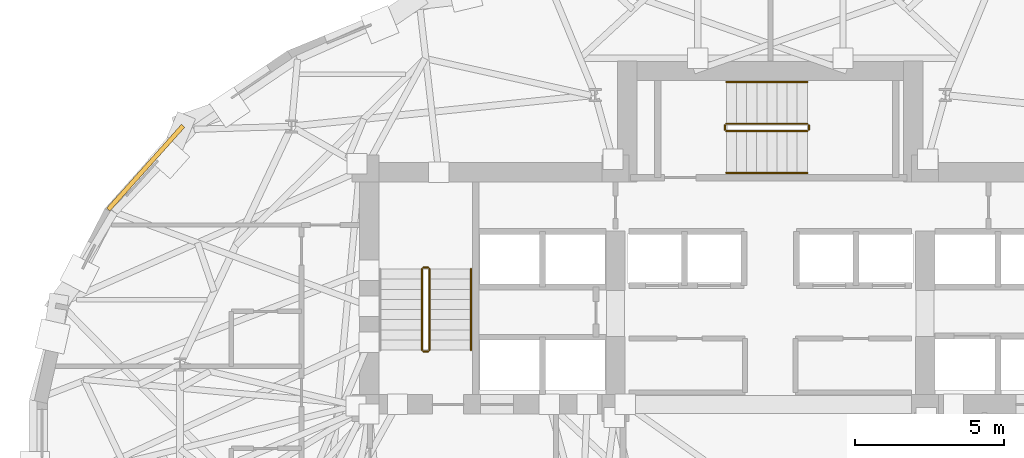
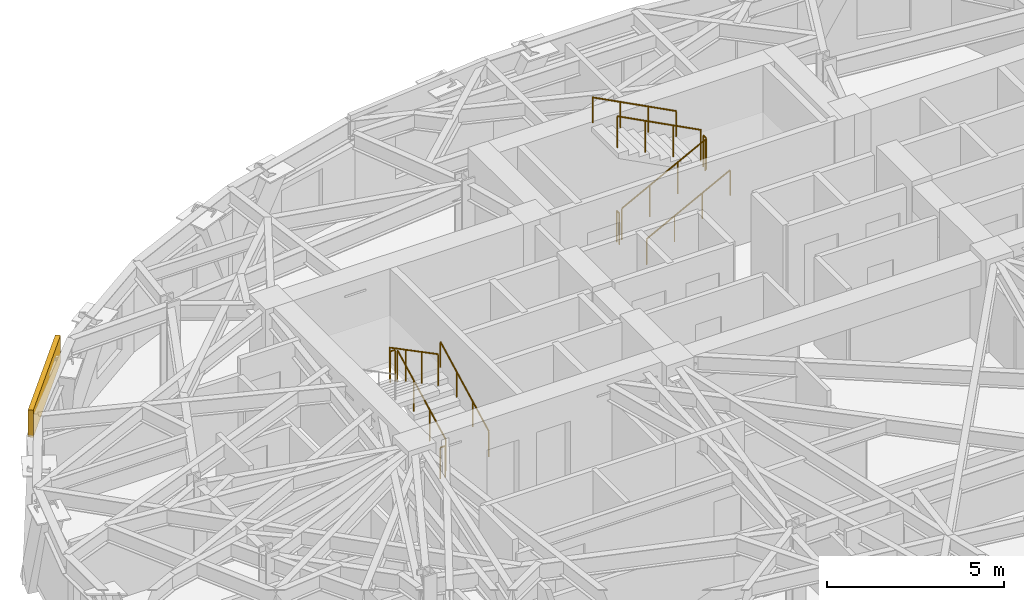
# One storey, part 13 of 15: 11 railings, 1 covering.
"""IFC4 building model written with IfcOpenShell, lengths in metres."""

import ifcopenshell
import ifcopenshell.guid

model = None  # the IFC model being written
_history = None  # IfcOwnerHistory: only IFC2X3 demands one
_inside = {}  # id of a spatial element -> (the spatial element, [elements in it])
_under = {}  # id of a project, library or spatial element -> (it, [spatial elements below it])
_declared = {}  # id of a project -> (the project, [libraries it declares])
_typed = {}  # id of a type object -> (the type object, [elements of that type])
_made_of = {}  # id of a material, layer set ... -> (it, [elements and type objects made of it])


def new_model(schema):
    """Start an empty IFC model of exactly this schema.

    Asked for "IFC4X3", IfcOpenShell would pick the latest addendum, in which some entities
    have other attributes; the version numbers below select the first issue.
    IFC2X3 requires an IfcOwnerHistory on every rooted entity: one is made here for all.
    """
    global model, _history
    if schema == "IFC4X3":
        model = ifcopenshell.file(schema_version=(4, 3, 0, 0))
    else:
        model = ifcopenshell.file(schema=schema)
    _inside.clear()
    _under.clear()
    _declared.clear()
    _typed.clear()
    _made_of.clear()
    _history = None
    if model.schema == "IFC2X3":
        org = make("IfcOrganization", Name="unknown")
        user = make(
            "IfcPersonAndOrganization",
            ThePerson=make("IfcPerson", FamilyName="unknown"),
            TheOrganization=org,
        )
        app = make(
            "IfcApplication",
            ApplicationDeveloper=org,
            Version="unknown",
            ApplicationFullName="unknown",
            ApplicationIdentifier="unknown",
        )
        _history = make(
            "IfcOwnerHistory",
            OwningUser=user,
            OwningApplication=app,
            ChangeAction="ADDED",
            CreationDate=0,
        )
    return model


def make(cls, **values):
    """One entity of the class cls with the attributes given. An attribute that is None is left unset."""
    return model.create_entity(
        cls, **{name: value for name, value in values.items() if value is not None}
    )


def rooted(cls, **values):
    """An entity with a GlobalId (a new one), such as an element, a storey or a relation."""
    return make(cls, GlobalId=ifcopenshell.guid.new(), OwnerHistory=_history, **values)


def si_unit(unit_type, name, prefix=None):
    """IfcSIUnit, for example si_unit("LENGTHUNIT", "METRE", prefix="MILLI")."""
    return make("IfcSIUnit", UnitType=unit_type, Prefix=prefix, Name=name)


def assignment(units):
    """IfcUnitAssignment: the units of a project."""
    return None if units is None else make("IfcUnitAssignment", Units=units)


def point(xyz):
    """IfcCartesianPoint."""
    return None if xyz is None else make("IfcCartesianPoint", Coordinates=xyz)


def direction(xyz):
    """IfcDirection."""
    return None if xyz is None else make("IfcDirection", DirectionRatios=xyz)


def frame(location, z_axis=None, x_axis=None):
    """IfcAxis2Placement3D, a coordinate frame: its origin and axes. An axis left out is left unset."""
    return make(
        "IfcAxis2Placement3D",
        Location=point(location),
        Axis=direction(z_axis),
        RefDirection=direction(x_axis),
    )


def frame_2d(location, x_axis=None):
    """IfcAxis2Placement2D, a coordinate frame in the plane: its origin and x axis."""
    return make(
        "IfcAxis2Placement2D", Location=point(location), RefDirection=direction(x_axis)
    )


def origin():
    """The frame at (0, 0, 0) with its axes left unset."""
    return frame((0.0, 0.0, 0.0))


def origin_2d():
    """The frame at (0, 0) in the plane with its x axis left unset."""
    return frame_2d((0.0, 0.0))


def place(relative_to, where):
    """IfcLocalPlacement: puts the frame where relative to a parent placement (None: the world)."""
    return make(
        "IfcLocalPlacement", PlacementRelTo=relative_to, RelativePlacement=where
    )


def context(
    kind, dimensions, precision=None, world=None, true_north=None, identifier=None
):
    """IfcGeometricRepresentationContext, for example the 3D "Model" context."""
    return make(
        "IfcGeometricRepresentationContext",
        ContextIdentifier=identifier,
        ContextType=kind,
        CoordinateSpaceDimension=dimensions,
        Precision=precision,
        WorldCoordinateSystem=world,
        TrueNorth=true_north,
    )


def subcontext(parent, identifier, kind, view, scale=None):
    """IfcGeometricRepresentationSubContext, for example "Body" below "Model"."""
    return make(
        "IfcGeometricRepresentationSubContext",
        ContextIdentifier=identifier,
        ContextType=kind,
        ParentContext=parent,
        TargetScale=scale,
        TargetView=view,
    )


def project(units=None, contexts=None):
    """IfcProject with its units and contexts."""
    return rooted(
        "IfcProject",
        Name="project",
        RepresentationContexts=contexts,
        UnitsInContext=assignment(units),
    )


def spatial(cls, under=None, at=None, **own):
    """A site, building, storey or space (cls), placed at a placement, below another one or the project."""
    s = rooted(cls, ObjectPlacement=at, **own)
    if under is not None:
        _under.setdefault(under.id(), (under, []))[1].append(s)
    return s


def profile(cls, at=None, kind="AREA", **sizes):
    """A parametric profile (cls). Its sizes go by their IFC names, for example OverallWidth=200.0."""
    return make(cls, ProfileType=kind, Position=at, **sizes)


def rectangle(**sizes):
    """IfcRectangleProfileDef."""
    return profile("IfcRectangleProfileDef", **sizes)


def circle(**sizes):
    """IfcCircleProfileDef."""
    return profile("IfcCircleProfileDef", **sizes)


def extrude(swept, where, along, depth):
    """IfcExtrudedAreaSolid: the profile swept, set in the frame where, extruded along a direction by depth."""
    return make(
        "IfcExtrudedAreaSolid",
        SweptArea=swept,
        Position=where,
        ExtrudedDirection=direction(along),
        Depth=depth,
    )


def shape(context_of_items, identifier, shape_type, items):
    """IfcShapeRepresentation: the items that make up one representation, for example the "Body"."""
    return make(
        "IfcShapeRepresentation",
        ContextOfItems=context_of_items,
        RepresentationIdentifier=identifier,
        RepresentationType=shape_type,
        Items=items,
    )


def material(Name=None, Category=None):
    """IfcMaterial."""
    return make("IfcMaterial", Name=Name, Category=Category)


def layer(
    of_material, thickness, ventilated=None, Name=None, Category=None, Priority=None
):
    """IfcMaterialLayer: one layer of a wall or slab, of a material (None: an air gap)."""
    return make(
        "IfcMaterialLayer",
        Material=of_material,
        LayerThickness=thickness,
        IsVentilated=ventilated,
        Name=Name,
        Category=Category,
        Priority=Priority,
    )


def layer_set(layers, Name=None):
    """IfcMaterialLayerSet."""
    return make("IfcMaterialLayerSet", MaterialLayers=layers, LayerSetName=Name)


def made_of(thing, what):
    """Note that an element or type object is made of a material, layer set ...; save() writes the relation."""
    if what is not None:
        _made_of.setdefault(what.id(), (what, []))[1].append(thing)
    return thing


def type_object(cls, material=None, **own):
    """A type object (cls), such as IfcWallType, which elements share."""
    return made_of(rooted(cls, **own), material)


def element(
    cls,
    number,
    at=None,
    inside=None,
    cuts=None,
    type_object=None,
    material=None,
    context=None,
    identifier="Body",
    shape_type=None,
    held_by="IfcProductDefinitionShape",
    body=None,
    shapes=None,
    **own,
):
    """One element of the class cls, such as IfcWall. Its Tag is "e" and its number.

    at: its placement. inside: the storey or other place that contains it. cuts: it is an
    opening in that element (IfcRelVoidsElement). A single representation is given by context,
    identifier, shape_type and body (its items); several are given by shapes. held_by: the class
    of the entity that holds the representations. save() writes the other relations.
    """
    e = rooted(cls, Tag="e%d" % number, ObjectPlacement=at, **own)
    if body is not None:
        shapes = [shape(context, identifier, shape_type, body)]
    if shapes is not None:
        e.Representation = make(held_by, Representations=shapes)
    if inside is not None:
        _inside.setdefault(inside.id(), (inside, []))[1].append(e)
    if cuts is not None:
        rooted(
            "IfcRelVoidsElement", RelatingBuildingElement=cuts, RelatedOpeningElement=e
        )
    if type_object is not None:
        _typed.setdefault(type_object.id(), (type_object, []))[1].append(e)
    return made_of(e, material)


def aggregate(whole, parts):
    """IfcRelAggregates: a whole, such as a stair, and the parts it consists of."""
    return rooted("IfcRelAggregates", RelatingObject=whole, RelatedObjects=parts)


def save(model, path):
    """Write the relations noted so far, then the file.

    IfcRelAggregates (storeys below a building ...), IfcRelContainedInSpatialStructure (elements
    in a storey), IfcRelDefinesByType, IfcRelAssociatesMaterial and IfcRelDeclares: one each for
    every whole, place, type object, material and project.
    """
    for whole, parts in _under.values():
        aggregate(whole, parts)
    for where, things in _inside.values():
        rooted(
            "IfcRelContainedInSpatialStructure",
            RelatedElements=things,
            RelatingStructure=where,
        )
    for kind, things in _typed.values():
        rooted("IfcRelDefinesByType", RelatedObjects=things, RelatingType=kind)
    for what, things in _made_of.values():
        rooted("IfcRelAssociatesMaterial", RelatedObjects=things, RelatingMaterial=what)
    for by, libraries in _declared.values():
        rooted("IfcRelDeclares", RelatingContext=by, RelatedDefinitions=libraries)
    model.write(path)


model = new_model("IFC4")

# Units and contexts
model_context = context("Model", 3, precision=1e-05, world=origin(), true_north=direction((0.0, 1.0)))
body_context = subcontext(model_context, "Body", "Model", "MODEL_VIEW")
ifc_project = project(units=[si_unit("LENGTHUNIT", "METRE"), si_unit("AREAUNIT", "SQUARE_METRE"), si_unit("VOLUMEUNIT", "CUBIC_METRE"), si_unit("PLANEANGLEUNIT", "RADIAN"), si_unit("MASSUNIT", "GRAM", prefix="KILO")], contexts=[model_context])

# Site, building, storey
site_placement = place(None, origin())
site = spatial("IfcSite", under=ifc_project, at=site_placement, CompositionType="ELEMENT")
building_placement = place(site_placement, origin())
building = spatial("IfcBuilding", under=site, at=building_placement, Name="Keldmark Tower", CompositionType="ELEMENT")
storey_placement = place(building_placement, frame((0.0, 0.0, 156.60009765625)))
storey = spatial("IfcBuildingStorey", under=building, at=storey_placement, Name="L42", CompositionType="ELEMENT", Elevation=156.60009765625)

# Covering
ifc_material_1 = material(Name="Honed Kasota Buff Dolomitic Limestone", Category="masonry")
ifc_layer = layer(ifc_material_1, 0.074951171875)
ifc_layer_set = layer_set([ifc_layer], Name="Honed Kasota Buff Dolomitic Limestone")
covering_type = type_object("IfcCoveringType", Name="Kasota Buff Limestone Spandrel Cladding Band", PredefinedType="CLADDING", material=ifc_layer_set)
covering_placement = place(storey_placement, frame((-20.97900390625, 9.474609375, 2.239013671875), z_axis=(0.0, 0.0, 1.0), x_axis=(-0.66633728225, -0.745650471926, 0.0)))
element("IfcCovering", 1, at=covering_placement, inside=storey, type_object=covering_type, Name="L42 Kasota Limestone Spandrel Band 13", PredefinedType="CLADDING", context=body_context, shape_type="SweptSolid", body=[
    extrude(rectangle(XDim=3.764404296875, YDim=0.14990234375, at=origin_2d()), origin(), (0.0, 0.0, 1.0), 0.94091796875),
])

# Railings
ifc_material_2 = material(Name="Painted Steel ASTM A500 Grade B", Category="steel")
railing_type_1 = type_object("IfcRailingType", Name="Painted Steel Stair Well Guard 1100 mm", PredefinedType="GUARDRAIL", material=ifc_material_2)
railing_1_placement = place(storey_placement, frame((-11.449951171875, 3.35009765625, 0.177734375)))
element("IfcRailing", 2, at=railing_1_placement, inside=storey, type_object=railing_type_1, Name="L42 ST1 stair guard 1", PredefinedType="GUARDRAIL", context=body_context, shape_type="SweptSolid", body=[
    extrude(circle(Radius=0.02392578125, at=origin_2d()), frame((0.0, 0.0, 1.076171875), z_axis=(0.0, 0.886183135912, 0.463335137482), x_axis=(-1.0, 0.0, 0.0)), (0.0, 0.0, 1.0), 3.0693359375),
    extrude(circle(Radius=0.02099609375, at=origin_2d()), origin(), (0.0, 0.0, 1.0), 1.052001953125),
    extrude(circle(Radius=0.02099609375, at=origin_2d()), frame((0.0, 0.90673828125, 0.47412109375)), (0.0, 0.0, 1.0), 1.052001953125),
    extrude(circle(Radius=0.02099609375, at=origin_2d()), frame((0.0, 1.813232421875, 0.947998046875)), (0.0, 0.0, 1.0), 1.052001953125),
    extrude(circle(Radius=0.02099609375, at=origin_2d()), frame((0.0, 2.719970703125, 1.422119140625)), (0.0, 0.0, 1.0), 1.052001953125),
])
railing_2_placement = place(storey_placement, frame((-11.5, 6.1201171875, 1.599853515625)))
element("IfcRailing", 3, at=railing_2_placement, inside=storey, type_object=railing_type_1, Name="L42 ST1 stair guard 2", PredefinedType="GUARDRAIL", context=body_context, shape_type="SweptSolid", body=[
    extrude(circle(Radius=0.02392578125, at=origin_2d()), frame((0.0, 0.0, 1.076171875), z_axis=(-1.0, 0.0, 0.0), x_axis=(0.0, -1.0, 0.0)), (0.0, 0.0, 1.0), 0.14990234375),
    extrude(circle(Radius=0.02099609375, at=origin_2d()), origin(), (0.0, 0.0, 1.0), 1.052001953125),
    extrude(circle(Radius=0.02099609375, at=origin_2d()), frame((-0.14990234375, 0.0, 0.0)), (0.0, 0.0, 1.0), 1.052001953125),
])
railing_3_placement = place(storey_placement, frame((-11.699951171875, 6.070068359375, 1.777587890625)))
element("IfcRailing", 4, at=railing_3_placement, inside=storey, type_object=railing_type_1, Name="L42 ST1 stair guard 3", PredefinedType="GUARDRAIL", context=body_context, shape_type="SweptSolid", body=[
    extrude(circle(Radius=0.02392578125, at=origin_2d()), frame((0.0, 0.0, 1.076171875), z_axis=(0.0, -0.886150474775, 0.463397600399), x_axis=(1.0, 0.0, 0.0)), (0.0, 0.0, 1.0), 3.0693359375),
    extrude(circle(Radius=0.02099609375, at=origin_2d()), origin(), (0.0, 0.0, 1.0), 1.052001953125),
    extrude(circle(Radius=0.02099609375, at=origin_2d()), frame((0.0, -0.90673828125, 0.47412109375)), (0.0, 0.0, 1.0), 1.052001953125),
    extrude(circle(Radius=0.02099609375, at=origin_2d()), frame((0.0, -1.813232421875, 0.9482421875)), (0.0, 0.0, 1.0), 1.052001953125),
    extrude(circle(Radius=0.02099609375, at=origin_2d()), frame((0.0, -2.719970703125, 1.42236328125)), (0.0, 0.0, 1.0), 1.052001953125),
])
railing_4_placement = place(storey_placement, frame((-11.5, 3.300048828125, 0.0)))
element("IfcRailing", 5, at=railing_4_placement, inside=storey, type_object=railing_type_1, Name="L42 ST1 stair guard 4", PredefinedType="GUARDRAIL", context=body_context, shape_type="SweptSolid", body=[
    extrude(circle(Radius=0.02392578125, at=origin_2d()), frame((0.0, 0.0, 1.076171875), z_axis=(-1.0, 0.0, 0.0), x_axis=(0.0, -1.0, 0.0)), (0.0, 0.0, 1.0), 0.14990234375),
    extrude(circle(Radius=0.02099609375, at=origin_2d()), origin(), (0.0, 0.0, 1.0), 1.052001953125),
    extrude(circle(Radius=0.02099609375, at=origin_2d()), frame((-0.14990234375, 0.0, 0.0)), (0.0, 0.0, 1.0), 1.052001953125),
])
railing_5_placement = place(storey_placement, frame((-1.47509765625, 10.699951171875, 0.177734375)))
element("IfcRailing", 6, at=railing_5_placement, inside=storey, type_object=railing_type_1, Name="L42 ST3 stair guard 1", PredefinedType="GUARDRAIL", context=body_context, shape_type="SweptSolid", body=[
    extrude(circle(Radius=0.02392578125, at=origin_2d()), frame((0.0, 0.0, 1.076171875), z_axis=(0.886200210249, 0.0, 0.463302479331), x_axis=(0.0, 1.0, 0.0)), (0.0, 0.0, 1.0), 3.069580078125),
    extrude(circle(Radius=0.02099609375, at=origin_2d()), origin(), (0.0, 0.0, 1.0), 1.052001953125),
    extrude(circle(Radius=0.02099609375, at=origin_2d()), frame((0.90673828125, 0.0, 0.47412109375)), (0.0, 0.0, 1.0), 1.052001953125),
    extrude(circle(Radius=0.02099609375, at=origin_2d()), frame((1.8134765625, 0.0, 0.947998046875)), (0.0, 0.0, 1.0), 1.052001953125),
    extrude(circle(Radius=0.02099609375, at=origin_2d()), frame((2.72021484375, 0.0, 1.422119140625)), (0.0, 0.0, 1.0), 1.052001953125),
])
railing_6_placement = place(storey_placement, frame((1.294921875, 10.75, 1.599853515625)))
element("IfcRailing", 7, at=railing_6_placement, inside=storey, type_object=railing_type_1, Name="L42 ST3 stair guard 2", PredefinedType="GUARDRAIL", context=body_context, shape_type="SweptSolid", body=[
    extrude(circle(Radius=0.02392578125, at=origin_2d()), frame((0.0, 0.0, 1.076171875), z_axis=(0.0, 1.0, 0.0), x_axis=(-1.0, 0.0, 0.0)), (0.0, 0.0, 1.0), 0.14990234375),
    extrude(circle(Radius=0.02099609375, at=origin_2d()), origin(), (0.0, 0.0, 1.0), 1.052001953125),
    extrude(circle(Radius=0.02099609375, at=origin_2d()), frame((0.0, 0.14990234375, 0.0)), (0.0, 0.0, 1.0), 1.052001953125),
])
railing_7_placement = place(storey_placement, frame((1.2451171875, 10.949951171875, 1.777587890625)))
element("IfcRailing", 8, at=railing_7_placement, inside=storey, type_object=railing_type_1, Name="L42 ST3 stair guard 3", PredefinedType="GUARDRAIL", context=body_context, shape_type="SweptSolid", body=[
    extrude(circle(Radius=0.02392578125, at=origin_2d()), frame((0.0, 0.0, 1.076171875), z_axis=(-0.886167553088, 0.0, 0.463364940252), x_axis=(0.0, -1.0, 0.0)), (0.0, 0.0, 1.0), 3.069580078125),
    extrude(circle(Radius=0.02099609375, at=origin_2d()), origin(), (0.0, 0.0, 1.0), 1.052001953125),
    extrude(circle(Radius=0.02099609375, at=origin_2d()), frame((-0.90673828125, 0.0, 0.47412109375)), (0.0, 0.0, 1.0), 1.052001953125),
    extrude(circle(Radius=0.02099609375, at=origin_2d()), frame((-1.8134765625, 0.0, 0.9482421875)), (0.0, 0.0, 1.0), 1.052001953125),
    extrude(circle(Radius=0.02099609375, at=origin_2d()), frame((-2.72021484375, 0.0, 1.42236328125)), (0.0, 0.0, 1.0), 1.052001953125),
])
railing_8_placement = place(storey_placement, frame((-1.52490234375, 10.75, 0.0)))
element("IfcRailing", 9, at=railing_8_placement, inside=storey, type_object=railing_type_1, Name="L42 ST3 stair guard 4", PredefinedType="GUARDRAIL", context=body_context, shape_type="SweptSolid", body=[
    extrude(circle(Radius=0.02392578125, at=origin_2d()), frame((0.0, 0.0, 1.076171875), z_axis=(0.0, 1.0, 0.0), x_axis=(-1.0, 0.0, 0.0)), (0.0, 0.0, 1.0), 0.14990234375),
    extrude(circle(Radius=0.02099609375, at=origin_2d()), origin(), (0.0, 0.0, 1.0), 1.052001953125),
    extrude(circle(Radius=0.02099609375, at=origin_2d()), frame((0.0, 0.14990234375, 0.0)), (0.0, 0.0, 1.0), 1.052001953125),
])
ifc_material_3 = material(Name="Stainless Steel AISI 316L", Category="steel")
railing_type_2 = type_object("IfcRailingType", Name="Stainless Steel Stair Handrail 900 mm", PredefinedType="HANDRAIL", material=ifc_material_3)
railing_9_placement = place(storey_placement, frame((-10.050048828125, 3.35009765625, 0.177734375)))
element("IfcRailing", 10, at=railing_9_placement, inside=storey, type_object=railing_type_2, Name="L42 ST1 stair handrail 1", PredefinedType="HANDRAIL", context=body_context, shape_type="SweptSolid", body=[
    extrude(circle(Radius=0.02392578125, at=origin_2d()), frame((0.0, 0.0, 0.8759765625), z_axis=(0.0, 0.886183135912, 0.463335137482), x_axis=(-1.0, 0.0, 0.0)), (0.0, 0.0, 1.0), 3.0693359375),
    extrude(circle(Radius=0.02099609375, at=origin_2d()), origin(), (0.0, 0.0, 1.0), 0.851806640625),
    extrude(circle(Radius=0.02099609375, at=origin_2d()), frame((0.0, 0.90673828125, 0.47412109375)), (0.0, 0.0, 1.0), 0.851806640625),
    extrude(circle(Radius=0.02099609375, at=origin_2d()), frame((0.0, 1.813232421875, 0.947998046875)), (0.0, 0.0, 1.0), 0.851806640625),
    extrude(circle(Radius=0.02099609375, at=origin_2d()), frame((0.0, 2.719970703125, 1.422119140625)), (0.0, 0.0, 1.0), 0.851806640625),
])
railing_10_placement = place(storey_placement, frame((-1.47509765625, 9.300048828125, 0.177734375)))
element("IfcRailing", 11, at=railing_10_placement, inside=storey, type_object=railing_type_2, Name="L42 ST3 stair handrail 1", PredefinedType="HANDRAIL", context=body_context, shape_type="SweptSolid", body=[
    extrude(circle(Radius=0.02392578125, at=origin_2d()), frame((0.0, 0.0, 0.8759765625), z_axis=(0.886200210249, 0.0, 0.463302479331), x_axis=(0.0, 1.0, 0.0)), (0.0, 0.0, 1.0), 3.069580078125),
    extrude(circle(Radius=0.02099609375, at=origin_2d()), origin(), (0.0, 0.0, 1.0), 0.851806640625),
    extrude(circle(Radius=0.02099609375, at=origin_2d()), frame((0.90673828125, 0.0, 0.47412109375)), (0.0, 0.0, 1.0), 0.851806640625),
    extrude(circle(Radius=0.02099609375, at=origin_2d()), frame((1.8134765625, 0.0, 0.947998046875)), (0.0, 0.0, 1.0), 0.851806640625),
    extrude(circle(Radius=0.02099609375, at=origin_2d()), frame((2.72021484375, 0.0, 1.422119140625)), (0.0, 0.0, 1.0), 0.851806640625),
])
railing_11_placement = place(storey_placement, frame((1.2451171875, 12.35009765625, 1.777587890625)))
element("IfcRailing", 12, at=railing_11_placement, inside=storey, type_object=railing_type_2, Name="L42 ST3 stair handrail 2", PredefinedType="HANDRAIL", context=body_context, shape_type="SweptSolid", body=[
    extrude(circle(Radius=0.02392578125, at=origin_2d()), frame((0.0, 0.0, 0.8759765625), z_axis=(-0.886167553088, 0.0, 0.463364940252), x_axis=(0.0, -1.0, 0.0)), (0.0, 0.0, 1.0), 3.069580078125),
    extrude(circle(Radius=0.02099609375, at=origin_2d()), origin(), (0.0, 0.0, 1.0), 0.851806640625),
    extrude(circle(Radius=0.02099609375, at=origin_2d()), frame((-0.90673828125, 0.0, 0.47412109375)), (0.0, 0.0, 1.0), 0.851806640625),
    extrude(circle(Radius=0.02099609375, at=origin_2d()), frame((-1.8134765625, 0.0, 0.9482421875)), (0.0, 0.0, 1.0), 0.851806640625),
    extrude(circle(Radius=0.02099609375, at=origin_2d()), frame((-2.72021484375, 0.0, 1.42236328125)), (0.0, 0.0, 1.0), 0.851806640625),
])

save(model, "model.ifc")
